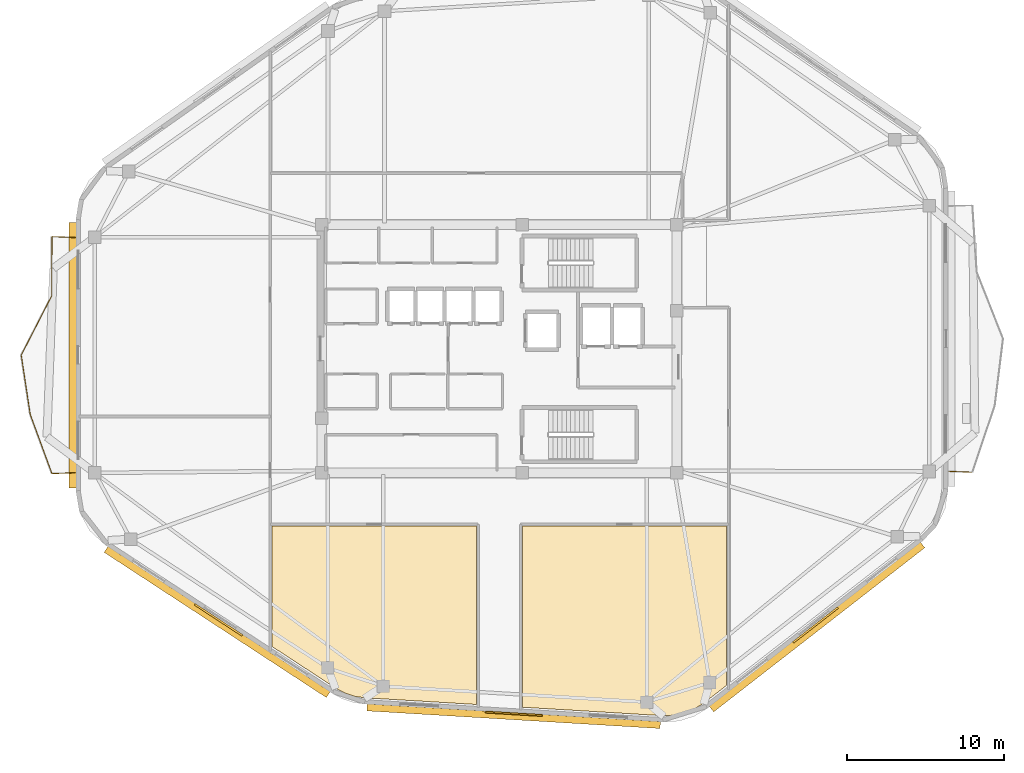
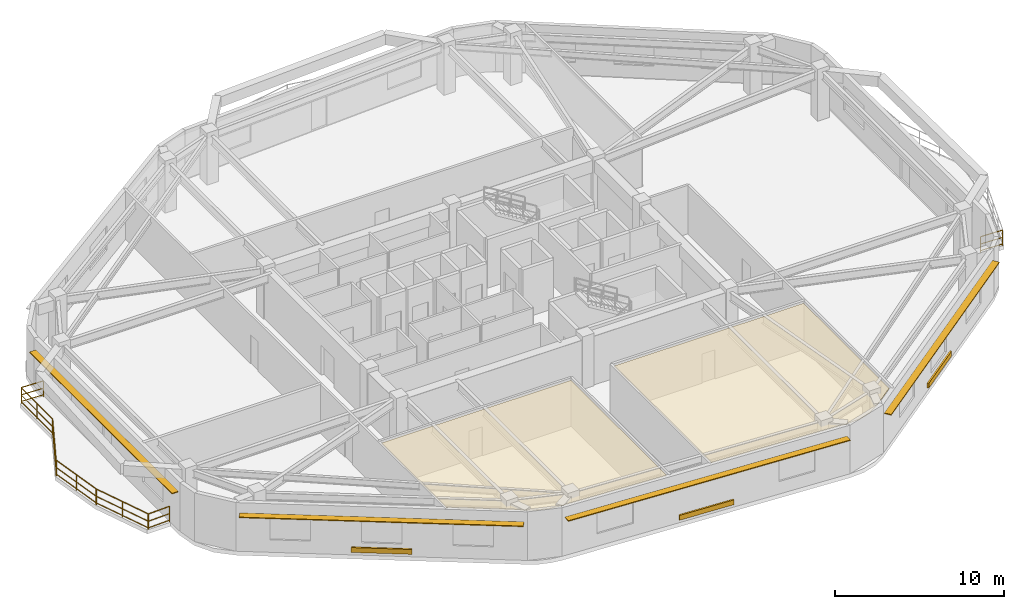
# One storey, part 7 of 9: 7 railings, 7 shading devices, 2 coverings.
"""IFC4 building model written with IfcOpenShell, lengths in metres."""

import ifcopenshell
import ifcopenshell.guid

model = None  # the IFC model being written
_history = None  # IfcOwnerHistory: only IFC2X3 demands one
_inside = {}  # id of a spatial element -> (the spatial element, [elements in it])
_under = {}  # id of a project, library or spatial element -> (it, [spatial elements below it])
_declared = {}  # id of a project -> (the project, [libraries it declares])
_typed = {}  # id of a type object -> (the type object, [elements of that type])
_made_of = {}  # id of a material, layer set ... -> (it, [elements and type objects made of it])


def new_model(schema):
    """Start an empty IFC model of exactly this schema.

    Asked for "IFC4X3", IfcOpenShell would pick the latest addendum, in which some entities
    have other attributes; the version numbers below select the first issue.
    IFC2X3 requires an IfcOwnerHistory on every rooted entity: one is made here for all.
    """
    global model, _history
    if schema == "IFC4X3":
        model = ifcopenshell.file(schema_version=(4, 3, 0, 0))
    else:
        model = ifcopenshell.file(schema=schema)
    _inside.clear()
    _under.clear()
    _declared.clear()
    _typed.clear()
    _made_of.clear()
    _history = None
    if model.schema == "IFC2X3":
        org = make("IfcOrganization", Name="unknown")
        user = make(
            "IfcPersonAndOrganization",
            ThePerson=make("IfcPerson", FamilyName="unknown"),
            TheOrganization=org,
        )
        app = make(
            "IfcApplication",
            ApplicationDeveloper=org,
            Version="unknown",
            ApplicationFullName="unknown",
            ApplicationIdentifier="unknown",
        )
        _history = make(
            "IfcOwnerHistory",
            OwningUser=user,
            OwningApplication=app,
            ChangeAction="ADDED",
            CreationDate=0,
        )
    return model


def make(cls, **values):
    """One entity of the class cls with the attributes given. An attribute that is None is left unset."""
    return model.create_entity(
        cls, **{name: value for name, value in values.items() if value is not None}
    )


def rooted(cls, **values):
    """An entity with a GlobalId (a new one), such as an element, a storey or a relation."""
    return make(cls, GlobalId=ifcopenshell.guid.new(), OwnerHistory=_history, **values)


def si_unit(unit_type, name, prefix=None):
    """IfcSIUnit, for example si_unit("LENGTHUNIT", "METRE", prefix="MILLI")."""
    return make("IfcSIUnit", UnitType=unit_type, Prefix=prefix, Name=name)


def assignment(units):
    """IfcUnitAssignment: the units of a project."""
    return None if units is None else make("IfcUnitAssignment", Units=units)


def point(xyz):
    """IfcCartesianPoint."""
    return None if xyz is None else make("IfcCartesianPoint", Coordinates=xyz)


def direction(xyz):
    """IfcDirection."""
    return None if xyz is None else make("IfcDirection", DirectionRatios=xyz)


def frame(location, z_axis=None, x_axis=None):
    """IfcAxis2Placement3D, a coordinate frame: its origin and axes. An axis left out is left unset."""
    return make(
        "IfcAxis2Placement3D",
        Location=point(location),
        Axis=direction(z_axis),
        RefDirection=direction(x_axis),
    )


def frame_2d(location, x_axis=None):
    """IfcAxis2Placement2D, a coordinate frame in the plane: its origin and x axis."""
    return make(
        "IfcAxis2Placement2D", Location=point(location), RefDirection=direction(x_axis)
    )


def origin():
    """The frame at (0, 0, 0) with its axes left unset."""
    return frame((0.0, 0.0, 0.0))


def origin_2d():
    """The frame at (0, 0) in the plane with its x axis left unset."""
    return frame_2d((0.0, 0.0))


def place(relative_to, where):
    """IfcLocalPlacement: puts the frame where relative to a parent placement (None: the world)."""
    return make(
        "IfcLocalPlacement", PlacementRelTo=relative_to, RelativePlacement=where
    )


def context(
    kind, dimensions, precision=None, world=None, true_north=None, identifier=None
):
    """IfcGeometricRepresentationContext, for example the 3D "Model" context."""
    return make(
        "IfcGeometricRepresentationContext",
        ContextIdentifier=identifier,
        ContextType=kind,
        CoordinateSpaceDimension=dimensions,
        Precision=precision,
        WorldCoordinateSystem=world,
        TrueNorth=true_north,
    )


def subcontext(parent, identifier, kind, view, scale=None):
    """IfcGeometricRepresentationSubContext, for example "Body" below "Model"."""
    return make(
        "IfcGeometricRepresentationSubContext",
        ContextIdentifier=identifier,
        ContextType=kind,
        ParentContext=parent,
        TargetScale=scale,
        TargetView=view,
    )


def project(units=None, contexts=None):
    """IfcProject with its units and contexts."""
    return rooted(
        "IfcProject",
        Name="project",
        RepresentationContexts=contexts,
        UnitsInContext=assignment(units),
    )


def spatial(cls, under=None, at=None, **own):
    """A site, building, storey or space (cls), placed at a placement, below another one or the project."""
    s = rooted(cls, ObjectPlacement=at, **own)
    if under is not None:
        _under.setdefault(under.id(), (under, []))[1].append(s)
    return s


def polyline(points):
    """IfcPolyline through the points."""
    return make("IfcPolyline", Points=[point(p) for p in points])


def profile(cls, at=None, kind="AREA", **sizes):
    """A parametric profile (cls). Its sizes go by their IFC names, for example OverallWidth=200.0."""
    return make(cls, ProfileType=kind, Position=at, **sizes)


def rectangle(**sizes):
    """IfcRectangleProfileDef."""
    return profile("IfcRectangleProfileDef", **sizes)


def outline(outer, holes=None, kind="AREA"):
    """IfcArbitraryClosedProfileDef: a profile drawn as a closed curve; with holes, ...WithVoids."""
    if holes is None:
        return make("IfcArbitraryClosedProfileDef", ProfileType=kind, OuterCurve=outer)
    return make(
        "IfcArbitraryProfileDefWithVoids",
        ProfileType=kind,
        OuterCurve=outer,
        InnerCurves=holes,
    )


def extrude(swept, where, along, depth):
    """IfcExtrudedAreaSolid: the profile swept, set in the frame where, extruded along a direction by depth."""
    return make(
        "IfcExtrudedAreaSolid",
        SweptArea=swept,
        Position=where,
        ExtrudedDirection=direction(along),
        Depth=depth,
    )


def shape(context_of_items, identifier, shape_type, items):
    """IfcShapeRepresentation: the items that make up one representation, for example the "Body"."""
    return make(
        "IfcShapeRepresentation",
        ContextOfItems=context_of_items,
        RepresentationIdentifier=identifier,
        RepresentationType=shape_type,
        Items=items,
    )


def material(Name=None, Category=None):
    """IfcMaterial."""
    return make("IfcMaterial", Name=Name, Category=Category)


def layer(
    of_material, thickness, ventilated=None, Name=None, Category=None, Priority=None
):
    """IfcMaterialLayer: one layer of a wall or slab, of a material (None: an air gap)."""
    return make(
        "IfcMaterialLayer",
        Material=of_material,
        LayerThickness=thickness,
        IsVentilated=ventilated,
        Name=Name,
        Category=Category,
        Priority=Priority,
    )


def layer_set(layers, Name=None):
    """IfcMaterialLayerSet."""
    return make("IfcMaterialLayerSet", MaterialLayers=layers, LayerSetName=Name)


def made_of(thing, what):
    """Note that an element or type object is made of a material, layer set ...; save() writes the relation."""
    if what is not None:
        _made_of.setdefault(what.id(), (what, []))[1].append(thing)
    return thing


def type_object(cls, material=None, **own):
    """A type object (cls), such as IfcWallType, which elements share."""
    return made_of(rooted(cls, **own), material)


def element(
    cls,
    number,
    at=None,
    inside=None,
    cuts=None,
    type_object=None,
    material=None,
    context=None,
    identifier="Body",
    shape_type=None,
    held_by="IfcProductDefinitionShape",
    body=None,
    shapes=None,
    **own,
):
    """One element of the class cls, such as IfcWall. Its Tag is "e" and its number.

    at: its placement. inside: the storey or other place that contains it. cuts: it is an
    opening in that element (IfcRelVoidsElement). A single representation is given by context,
    identifier, shape_type and body (its items); several are given by shapes. held_by: the class
    of the entity that holds the representations. save() writes the other relations.
    """
    e = rooted(cls, Tag="e%d" % number, ObjectPlacement=at, **own)
    if body is not None:
        shapes = [shape(context, identifier, shape_type, body)]
    if shapes is not None:
        e.Representation = make(held_by, Representations=shapes)
    if inside is not None:
        _inside.setdefault(inside.id(), (inside, []))[1].append(e)
    if cuts is not None:
        rooted(
            "IfcRelVoidsElement", RelatingBuildingElement=cuts, RelatedOpeningElement=e
        )
    if type_object is not None:
        _typed.setdefault(type_object.id(), (type_object, []))[1].append(e)
    return made_of(e, material)


def aggregate(whole, parts):
    """IfcRelAggregates: a whole, such as a stair, and the parts it consists of."""
    return rooted("IfcRelAggregates", RelatingObject=whole, RelatedObjects=parts)


def save(model, path):
    """Write the relations noted so far, then the file.

    IfcRelAggregates (storeys below a building ...), IfcRelContainedInSpatialStructure (elements
    in a storey), IfcRelDefinesByType, IfcRelAssociatesMaterial and IfcRelDeclares: one each for
    every whole, place, type object, material and project.
    """
    for whole, parts in _under.values():
        aggregate(whole, parts)
    for where, things in _inside.values():
        rooted(
            "IfcRelContainedInSpatialStructure",
            RelatedElements=things,
            RelatingStructure=where,
        )
    for kind, things in _typed.values():
        rooted("IfcRelDefinesByType", RelatedObjects=things, RelatingType=kind)
    for what, things in _made_of.values():
        rooted("IfcRelAssociatesMaterial", RelatedObjects=things, RelatingMaterial=what)
    for by, libraries in _declared.values():
        rooted("IfcRelDeclares", RelatingContext=by, RelatedDefinitions=libraries)
    model.write(path)


model = new_model("IFC4")

# Units and contexts
model_context = context("Model", 3, precision=1e-05, world=origin(), true_north=direction((0.0, 1.0)))
body_context = subcontext(model_context, "Body", "Model", "MODEL_VIEW")
ifc_project = project(units=[si_unit("LENGTHUNIT", "METRE"), si_unit("AREAUNIT", "SQUARE_METRE"), si_unit("VOLUMEUNIT", "CUBIC_METRE"), si_unit("PLANEANGLEUNIT", "RADIAN"), si_unit("MASSUNIT", "GRAM", prefix="KILO")], contexts=[model_context])

# Site, building, storey
site_placement = place(None, origin())
site = spatial("IfcSite", under=ifc_project, at=site_placement, CompositionType="ELEMENT")
building_placement = place(site_placement, origin())
building = spatial("IfcBuilding", under=site, at=building_placement, Name="Zulverin Broadcast Headquarters", CompositionType="ELEMENT")
storey_placement = place(building_placement, frame((0.0, 0.0, 247.800048828125)))
storey = spatial("IfcBuildingStorey", under=building, at=storey_placement, Name="L63", CompositionType="ELEMENT", Elevation=247.800048828125)

# Coverings
ifc_material_1 = material(Name="Perforated pale-metal acoustic baffle ceiling", Category="aluminium")
ifc_layer_1 = layer(ifc_material_1, 0.0400390625, Name="Perforated pale-metal acoustic baffle ceiling", Category="aluminium")
ifc_layer_set_1 = layer_set([ifc_layer_1], Name="Perforated pale-metal acoustic baffle ceiling")
covering_type = type_object("IfcCoveringType", Name="COV-CEIL-ACOU", PredefinedType="CEILING", material=ifc_layer_set_1)
covering_1_placement = place(storey_placement, frame((0.0, 0.0, 3.329833984375)))
element("IfcCovering", 1, at=covering_1_placement, inside=storey, type_object=covering_type, Name="L63 Acoustic Baffle Ceiling 02", PredefinedType="CEILING", context=body_context, shape_type="SweptSolid", body=[
    extrude(outline(polyline([(27.18798828125, 3.33203125), (27.7958984375, 3.1279296875), (28.444091796875, 3.031982421875), (35.531982421875, 2.60791015625), (35.531982421875, 13.931884765625), (22.572021484375, 13.931884765625), (22.572021484375, 6.280029296875), (26.60791015625, 3.639892578125), (27.18798828125, 3.33203125)])), origin(), (0.0, 0.0, 1.0), 0.0400390625),
])
covering_2_placement = place(storey_placement, frame((0.0, 0.0, 3.329833984375)))
element("IfcCovering", 2, at=covering_2_placement, inside=storey, type_object=covering_type, Name="L63 Acoustic Baffle Ceiling 03", PredefinedType="CEILING", context=body_context, shape_type="SweptSolid", body=[
    extrude(outline(polyline([(38.471923828125, 13.931884765625), (38.471923828125, 2.431884765625), (47.427978515625, 1.89208984375), (48.340087890625, 1.947998046875), (49.18408203125, 2.2119140625), (49.964111328125, 2.679931640625), (51.431884765625, 3.820068359375), (51.431884765625, 13.931884765625), (38.471923828125, 13.931884765625)])), origin(), (0.0, 0.0, 1.0), 0.0400390625),
])

# Railings
ifc_material_2 = material(Name="Brushed stainless steel & laminated glass balustrade", Category="steel")
railing_type = type_object("IfcRailingType", Name="RL-GUARD-1150", PredefinedType="GUARDRAIL", material=ifc_material_2)
railing_1_placement = place(storey_placement, frame((65.5400390625, 17.417724609375, 0.0)))
element("IfcRailing", 3, at=railing_1_placement, inside=storey, type_object=railing_type, Name="L63 Vertical-Forest Balcony Guardrail BAL_E Segment 01", PredefinedType="GUARDRAIL", context=body_context, shape_type="SweptSolid", body=[
    extrude(rectangle(XDim=0.048095703125, YDim=0.048095703125, at=origin_2d()), frame((0.0, 0.0, 1.1259765625), z_axis=(0.99918088253, -0.040466825742, 0.0), x_axis=(0.040466825742, 0.99918088253, 0.0)), (0.0, 0.0, 1.0), 1.466064453125),
    extrude(rectangle(XDim=0.0419921875, YDim=0.0419921875, at=origin_2d()), frame((0.0, 0.0, 0.597900390625), z_axis=(0.99918088253, -0.040466825742, 0.0), x_axis=(0.040466825742, 0.99918088253, 0.0)), (0.0, 0.0, 1.0), 1.466064453125),
    extrude(rectangle(XDim=0.0419921875, YDim=0.0419921875, at=origin_2d()), frame((0.0, 0.0, 0.1201171875), z_axis=(0.99918088253, -0.040466825742, 0.0), x_axis=(0.040466825742, 0.99918088253, 0.0)), (0.0, 0.0, 1.0), 1.466064453125),
    extrude(rectangle(XDim=0.0419921875, YDim=0.0419921875, at=origin_2d()), origin(), (0.0, 0.0, 1.0), 1.101806640625),
    extrude(rectangle(XDim=0.0419921875, YDim=0.0419921875, at=origin_2d()), frame((1.46484375, -0.059326171875, 0.0)), (0.0, 0.0, 1.0), 1.101806640625),
])
railing_2_placement = place(storey_placement, frame((10.06005859375, 32.265380859375, 0.0)))
element("IfcRailing", 4, at=railing_2_placement, inside=storey, type_object=railing_type, Name="L63 Vertical-Forest Balcony Guardrail BAL_W Segment 01", PredefinedType="GUARDRAIL", context=body_context, shape_type="SweptSolid", body=[
    extrude(rectangle(XDim=0.048095703125, YDim=0.048095703125, at=origin_2d()), frame((0.0, 0.0, 1.1259765625), z_axis=(-0.999181155166, 0.040460093435, 0.0), x_axis=(-0.040460093435, -0.999181155166, 0.0)), (0.0, 0.0, 1.0), 1.46630859375),
    extrude(rectangle(XDim=0.0419921875, YDim=0.0419921875, at=origin_2d()), frame((0.0, 0.0, 0.597900390625), z_axis=(-0.999181155166, 0.040460093435, 0.0), x_axis=(-0.040460093435, -0.999181155166, 0.0)), (0.0, 0.0, 1.0), 1.46630859375),
    extrude(rectangle(XDim=0.0419921875, YDim=0.0419921875, at=origin_2d()), frame((0.0, 0.0, 0.1201171875), z_axis=(-0.999181155166, 0.040460093435, 0.0), x_axis=(-0.040460093435, -0.999181155166, 0.0)), (0.0, 0.0, 1.0), 1.46630859375),
    extrude(rectangle(XDim=0.0419921875, YDim=0.0419921875, at=origin_2d()), origin(), (0.0, 0.0, 1.0), 1.101806640625),
    extrude(rectangle(XDim=0.0419921875, YDim=0.0419921875, at=origin_2d()), frame((-1.465087890625, 0.059326171875, 0.0)), (0.0, 0.0, 1.0), 1.101806640625),
])
railing_3_placement = place(storey_placement, frame((8.579833984375, 32.310302734375, 0.0)))
element("IfcRailing", 5, at=railing_3_placement, inside=storey, type_object=railing_type, Name="L63 Vertical-Forest Balcony Guardrail BAL_W Segment 02", PredefinedType="GUARDRAIL", context=body_context, shape_type="SweptSolid", body=[
    extrude(rectangle(XDim=0.048095703125, YDim=0.048095703125, at=origin_2d()), frame((0.0, 0.0, 1.1259765625), z_axis=(-0.004772747209, -0.999988610377, 0.0), x_axis=(0.999988610377, -0.004772747209, 0.0)), (0.0, 0.0, 1.0), 3.734130859375),
    extrude(rectangle(XDim=0.0419921875, YDim=0.0419921875, at=origin_2d()), frame((0.0, 0.0, 0.597900390625), z_axis=(-0.004772747209, -0.999988610377, 0.0), x_axis=(0.999988610377, -0.004772747209, 0.0)), (0.0, 0.0, 1.0), 3.734130859375),
    extrude(rectangle(XDim=0.0419921875, YDim=0.0419921875, at=origin_2d()), frame((0.0, 0.0, 0.1201171875), z_axis=(-0.004772747209, -0.999988610377, 0.0), x_axis=(0.999988610377, -0.004772747209, 0.0)), (0.0, 0.0, 1.0), 3.734130859375),
    extrude(rectangle(XDim=0.0419921875, YDim=0.0419921875, at=origin_2d()), origin(), (0.0, 0.0, 1.0), 1.101806640625),
    extrude(rectangle(XDim=0.0419921875, YDim=0.0419921875, at=origin_2d()), frame((-0.0087890625, -1.8671875, 0.0)), (0.0, 0.0, 1.0), 1.101806640625),
    extrude(rectangle(XDim=0.0419921875, YDim=0.0419921875, at=origin_2d()), frame((-0.017822265625, -3.734130859375, 0.0)), (0.0, 0.0, 1.0), 1.101806640625),
])
railing_4_placement = place(storey_placement, frame((8.55517578125, 28.5478515625, 0.0)))
element("IfcRailing", 6, at=railing_4_placement, inside=storey, type_object=railing_type, Name="L63 Vertical-Forest Balcony Guardrail BAL_W Segment 03", PredefinedType="GUARDRAIL", context=body_context, shape_type="SweptSolid", body=[
    extrude(rectangle(XDim=0.048095703125, YDim=0.048095703125, at=origin_2d()), frame((0.0, 0.0, 1.1259765625), z_axis=(-0.456649319024, -0.889646783524, 0.0), x_axis=(0.889646783524, -0.456649319024, 0.0)), (0.0, 0.0, 1.0), 4.201171875),
    extrude(rectangle(XDim=0.0419921875, YDim=0.0419921875, at=origin_2d()), frame((0.0, 0.0, 0.597900390625), z_axis=(-0.456649319024, -0.889646783524, 0.0), x_axis=(0.889646783524, -0.456649319024, 0.0)), (0.0, 0.0, 1.0), 4.201171875),
    extrude(rectangle(XDim=0.0419921875, YDim=0.0419921875, at=origin_2d()), frame((0.0, 0.0, 0.1201171875), z_axis=(-0.456649319024, -0.889646783524, 0.0), x_axis=(0.889646783524, -0.456649319024, 0.0)), (0.0, 0.0, 1.0), 4.201171875),
    extrude(rectangle(XDim=0.0419921875, YDim=0.0419921875, at=origin_2d()), origin(), (0.0, 0.0, 1.0), 1.101806640625),
    extrude(rectangle(XDim=0.0419921875, YDim=0.0419921875, at=origin_2d()), frame((-0.959228515625, -1.86865234375, 0.0)), (0.0, 0.0, 1.0), 1.101806640625),
    extrude(rectangle(XDim=0.0419921875, YDim=0.0419921875, at=origin_2d()), frame((-1.91845703125, -3.737548828125, 0.0)), (0.0, 0.0, 1.0), 1.101806640625),
])
railing_5_placement = place(storey_placement, frame((6.632080078125, 24.7822265625, 0.0)))
element("IfcRailing", 7, at=railing_5_placement, inside=storey, type_object=railing_type, Name="L63 Vertical-Forest Balcony Guardrail BAL_W Segment 04", PredefinedType="GUARDRAIL", context=body_context, shape_type="SweptSolid", body=[
    extrude(rectangle(XDim=0.048095703125, YDim=0.048095703125, at=origin_2d()), frame((0.0, 0.0, 1.1259765625), z_axis=(0.149633052347, -0.988741599026, 0.0), x_axis=(0.988741599026, 0.149633052347, 0.0)), (0.0, 0.0, 1.0), 3.777099609375),
    extrude(rectangle(XDim=0.0419921875, YDim=0.0419921875, at=origin_2d()), frame((0.0, 0.0, 0.597900390625), z_axis=(0.149633052347, -0.988741599026, 0.0), x_axis=(0.988741599026, 0.149633052347, 0.0)), (0.0, 0.0, 1.0), 3.777099609375),
    extrude(rectangle(XDim=0.0419921875, YDim=0.0419921875, at=origin_2d()), frame((0.0, 0.0, 0.1201171875), z_axis=(0.149633052347, -0.988741599026, 0.0), x_axis=(0.988741599026, 0.149633052347, 0.0)), (0.0, 0.0, 1.0), 3.777099609375),
    extrude(rectangle(XDim=0.0419921875, YDim=0.0419921875, at=origin_2d()), origin(), (0.0, 0.0, 1.0), 1.101806640625),
    extrude(rectangle(XDim=0.0419921875, YDim=0.0419921875, at=origin_2d()), frame((0.28271484375, -1.8671875, 0.0)), (0.0, 0.0, 1.0), 1.101806640625),
    extrude(rectangle(XDim=0.0419921875, YDim=0.0419921875, at=origin_2d()), frame((0.565185546875, -3.734619140625, 0.0)), (0.0, 0.0, 1.0), 1.101806640625),
])
railing_6_placement = place(storey_placement, frame((7.20458984375, 21.018798828125, 0.0)))
element("IfcRailing", 8, at=railing_6_placement, inside=storey, type_object=railing_type, Name="L63 Vertical-Forest Balcony Guardrail BAL_W Segment 05", PredefinedType="GUARDRAIL", context=body_context, shape_type="SweptSolid", body=[
    extrude(rectangle(XDim=0.048095703125, YDim=0.048095703125, at=origin_2d()), frame((0.0, 0.0, 1.1259765625), z_axis=(0.344303321103, -0.938858468076, 0.0), x_axis=(0.938858468076, 0.344303321103, 0.0)), (0.0, 0.0, 1.0), 3.9794921875),
    extrude(rectangle(XDim=0.0419921875, YDim=0.0419921875, at=origin_2d()), frame((0.0, 0.0, 0.597900390625), z_axis=(0.344303321103, -0.938858468076, 0.0), x_axis=(0.938858468076, 0.344303321103, 0.0)), (0.0, 0.0, 1.0), 3.9794921875),
    extrude(rectangle(XDim=0.0419921875, YDim=0.0419921875, at=origin_2d()), frame((0.0, 0.0, 0.1201171875), z_axis=(0.344303321103, -0.938858468076, 0.0), x_axis=(0.938858468076, 0.344303321103, 0.0)), (0.0, 0.0, 1.0), 3.9794921875),
    extrude(rectangle(XDim=0.0419921875, YDim=0.0419921875, at=origin_2d()), origin(), (0.0, 0.0, 1.0), 1.101806640625),
    extrude(rectangle(XDim=0.0419921875, YDim=0.0419921875, at=origin_2d()), frame((0.68505859375, -1.8681640625, 0.0)), (0.0, 0.0, 1.0), 1.101806640625),
    extrude(rectangle(XDim=0.0419921875, YDim=0.0419921875, at=origin_2d()), frame((1.3701171875, -3.736083984375, 0.0)), (0.0, 0.0, 1.0), 1.101806640625),
])
railing_7_placement = place(storey_placement, frame((8.594970703125, 17.269287109375, 0.0)))
element("IfcRailing", 9, at=railing_7_placement, inside=storey, type_object=railing_type, Name="L63 Vertical-Forest Balcony Guardrail BAL_W Segment 06", PredefinedType="GUARDRAIL", context=body_context, shape_type="SweptSolid", body=[
    extrude(rectangle(XDim=0.048095703125, YDim=0.048095703125, at=origin_2d()), frame((0.0, 0.0, 1.1259765625), z_axis=(0.999181155166, 0.040460093435, 0.0), x_axis=(-0.040460093435, 0.999181155166, 0.0)), (0.0, 0.0, 1.0), 1.46630859375),
    extrude(rectangle(XDim=0.0419921875, YDim=0.0419921875, at=origin_2d()), frame((0.0, 0.0, 0.597900390625), z_axis=(0.999181155166, 0.040460093435, 0.0), x_axis=(-0.040460093435, 0.999181155166, 0.0)), (0.0, 0.0, 1.0), 1.46630859375),
    extrude(rectangle(XDim=0.0419921875, YDim=0.0419921875, at=origin_2d()), frame((0.0, 0.0, 0.1201171875), z_axis=(0.999181155166, 0.040460093435, 0.0), x_axis=(-0.040460093435, 0.999181155166, 0.0)), (0.0, 0.0, 1.0), 1.46630859375),
    extrude(rectangle(XDim=0.0419921875, YDim=0.0419921875, at=origin_2d()), origin(), (0.0, 0.0, 1.0), 1.101806640625),
    extrude(rectangle(XDim=0.0419921875, YDim=0.0419921875, at=origin_2d()), frame((1.465087890625, 0.059326171875, 0.0)), (0.0, 0.0, 1.0), 1.101806640625),
])

# Shading devices
ifc_material_3 = material(Name="Anodized pale-metal aluminium acoustic louvre", Category="aluminium")
shading_device_type_1 = type_object("IfcShadingDeviceType", Name="SHD-LOUVRE-350", PredefinedType="USERDEFINED", material=ifc_material_3)
for number, where, z_axis, x_axis, name in (
    (10, (37.91259765625, 2.023681640625, 0.244873046875), (0.0, 0.0, 1.0), (0.998202681386, -0.059928347834, 0.0), "L63 Spandrel Intake Louvre 1"),
    (11, (57.077880859375, 7.653076171875, 0.244873046875), (0.0, 0.0, 1.0), (0.789459183061, 0.613803061479, 0.0), "L63 Spandrel Intake Louvre 2"),
    (12, (19.1591796875, 7.982421875, 0.244873046875), (0.0, 0.0, 1.0), (0.837115830387, -0.54702567263, 0.0), "L63 Spandrel Intake Louvre 8"),
):
    element("IfcShadingDevice", number, at=place(storey_placement, frame(where, z_axis=z_axis, x_axis=x_axis)), inside=storey, type_object=shading_device_type_1, Name=name, ObjectType="LOUVRE", PredefinedType="USERDEFINED", context=body_context, shape_type="SweptSolid", body=[
        extrude(rectangle(XDim=3.60009765625, YDim=0.1201171875, at=origin_2d()), origin(), (0.0, 0.0, 1.0), 0.35009765625),
    ])
ifc_material_4 = material(Name="Anodized pale-metal aluminium sunshade", Category="aluminium")
ifc_layer_2 = layer(ifc_material_4, 0.06005859375, Name="Anodized pale-metal aluminium sunshade", Category="aluminium")
ifc_layer_set_2 = layer_set([ifc_layer_2], Name="Anodized pale-metal aluminium sunshade")
shading_device_type_2 = type_object("IfcShadingDeviceType", Name="SS-01_PALE_METAL_ALUMINIUM_SUNSHADE", PredefinedType="USERDEFINED", material=ifc_layer_set_2)
shading_device_1_placement = place(storey_placement, frame((37.90283203125, 1.864013671875, 2.7099609375), z_axis=(0.0, 0.0, 1.0), x_axis=(0.998202681386, -0.059928347834, 0.0)))
element("IfcShadingDevice", 13, at=shading_device_1_placement, inside=storey, type_object=shading_device_type_2, Name="L63 Horizontal Pale-Metal Sunshade Band 1", ObjectType="SUNSHADE", PredefinedType="USERDEFINED", context=body_context, shape_type="SweptSolid", body=[
    extrude(rectangle(XDim=18.65966796875, YDim=0.449951171875, at=origin_2d()), origin(), (0.0, 0.0, 1.0), 0.06005859375),
])
shading_device_2_placement = place(storey_placement, frame((57.176025390625, 7.52685546875, 2.7099609375), z_axis=(0.0, 0.0, 1.0), x_axis=(0.789459183061, 0.613803061479, 0.0)))
element("IfcShadingDevice", 14, at=shading_device_2_placement, inside=storey, type_object=shading_device_type_2, Name="L63 Horizontal Pale-Metal Sunshade Band 2", ObjectType="SUNSHADE", PredefinedType="USERDEFINED", context=body_context, shape_type="SweptSolid", body=[
    extrude(rectangle(XDim=16.987548828125, YDim=0.449951171875, at=origin_2d()), origin(), (0.0, 0.0, 1.0), 0.06005859375),
])
shading_device_3_placement = place(storey_placement, frame((9.89990234375, 24.797119140625, 2.7099609375), z_axis=(0.0, 0.0, 1.0), x_axis=(0.0, -1.0, 0.0)))
element("IfcShadingDevice", 15, at=shading_device_3_placement, inside=storey, type_object=shading_device_type_2, Name="L63 Horizontal Pale-Metal Sunshade Band 7", ObjectType="SUNSHADE", PredefinedType="USERDEFINED", context=body_context, shape_type="SweptSolid", body=[
    extrude(rectangle(XDim=16.856689453125, YDim=0.449951171875, at=origin_2d()), origin(), (0.0, 0.0, 1.0), 0.06005859375),
])
shading_device_4_placement = place(storey_placement, frame((19.07177734375, 7.848388671875, 2.7099609375), z_axis=(0.0, 0.0, 1.0), x_axis=(0.837115830387, -0.54702567263, 0.0)))
element("IfcShadingDevice", 16, at=shading_device_4_placement, inside=storey, type_object=shading_device_type_2, Name="L63 Horizontal Pale-Metal Sunshade Band 8", ObjectType="SUNSHADE", PredefinedType="USERDEFINED", context=body_context, shape_type="SweptSolid", body=[
    extrude(rectangle(XDim=16.859130859375, YDim=0.449951171875, at=origin_2d()), origin(), (0.0, 0.0, 1.0), 0.06005859375),
])

save(model, "model.ifc")
